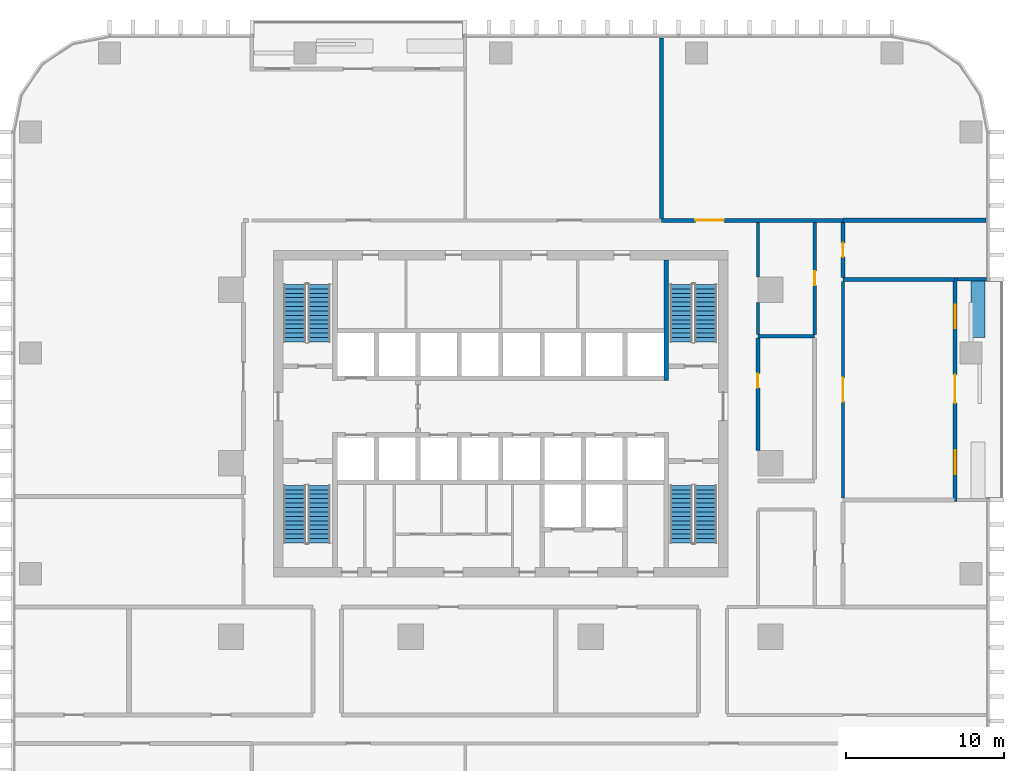
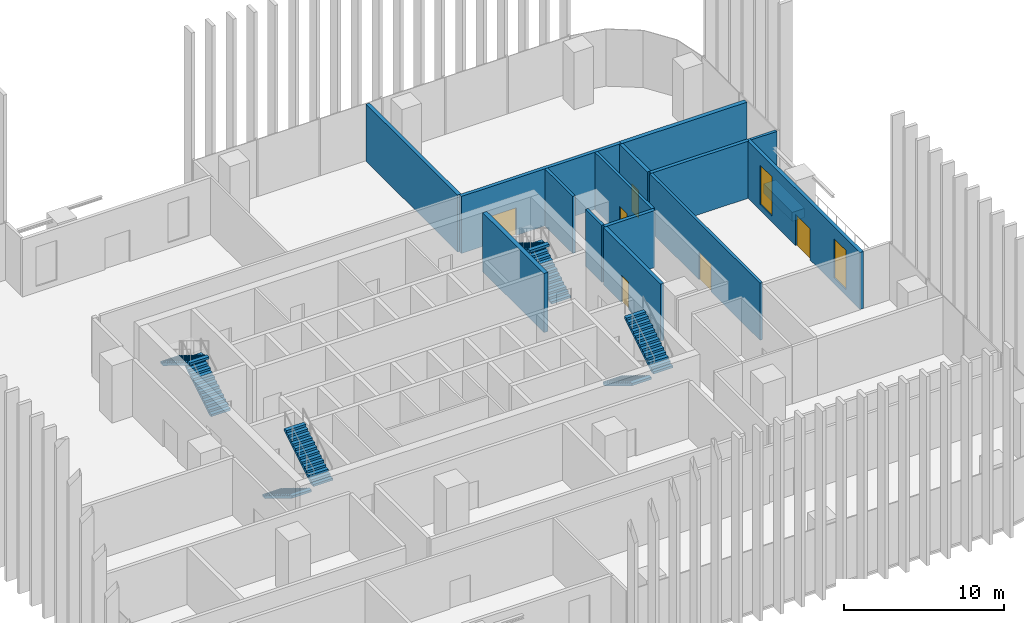
# One storey, part 10 of 16: 15 walls, 8 stair flights, 6 doors, 2 windows, 8 openings, 4 elements without a shape of their own.
"""IFC4 building model written with IfcOpenShell, lengths in metres."""

from ifc_helpers import new_model, si_unit, direction, frame, frame_2d, origin, place, context, subcontext, project, spatial, polyline, rectangle, outline, extrude, material, layer, layer_set, type_object, element, fill, aggregate, save


model = new_model("IFC4")

# Units and contexts
model_context = context("Model", 3, precision=1e-05, world=origin(), true_north=direction((0.0, 1.0)))
body_context = subcontext(model_context, "Body", "Model", "MODEL_VIEW")
ifc_project = project(units=[si_unit("LENGTHUNIT", "METRE"), si_unit("AREAUNIT", "SQUARE_METRE"), si_unit("VOLUMEUNIT", "CUBIC_METRE"), si_unit("PLANEANGLEUNIT", "RADIAN"), si_unit("MASSUNIT", "GRAM", prefix="KILO")], contexts=[model_context])

# Site, building, storey
site_placement = place(None, origin())
site = spatial("IfcSite", under=ifc_project, at=site_placement, CompositionType="ELEMENT")
building_placement = place(site_placement, origin())
building = spatial("IfcBuilding", under=site, at=building_placement, Name="Mopane Tessera Tower", CompositionType="ELEMENT")
storey_placement = place(building_placement, frame((0.0, 0.0, 59.800048828125)))
storey = spatial("IfcBuildingStorey", under=building, at=storey_placement, Name="L11", CompositionType="ELEMENT", Elevation=59.800048828125)

# Walls
ifc_material_1 = material(Name="Concrete C60/75", Category="concrete")
ifc_layer_1 = layer(ifc_material_1, 0.300048828125)
ifc_layer_set_1 = layer_set([ifc_layer_1], Name="Concrete C60/75")
wall_type_1 = type_object("IfcWallType", Name="Core spine wall 300 mm", PredefinedType="SHEAR", material=ifc_layer_set_1)
wall_1_placement = place(storey_placement, frame((10.5, 5.25, 0.0), z_axis=(0.0, 0.0, 1.0), x_axis=(0.0, 1.0, 0.0)))
element("IfcWall", 1, at=wall_1_placement, inside=storey, type_object=wall_type_1, Name="L11 Core spine wall", PredefinedType="SHEAR", context=body_context, shape_type="SweptSolid", body=[
    extrude(rectangle(XDim=7.64990234375, YDim=0.300048828125, at=frame_2d((3.824951171875, 0.0))), origin(), (0.0, 0.0, 1.0), 4.5),
])
ifc_material_2 = material(Name="Gypsum board on steel studs, two layers each face, mineral wool infill", Category="steel")
ifc_layer_2 = layer(ifc_material_2, 0.199951171875)
ifc_layer_set_2 = layer_set([ifc_layer_2], Name="Gypsum board on steel studs, two layers each face, mineral wool infill")
wall_type_2 = type_object("IfcWallType", Name="Gypsum board corridor wall 200, rated EI 60", PredefinedType="PARTITIONING", material=ifc_layer_set_2)
wall_2_placement = place(storey_placement, frame((16.300048828125, 8.179931640625, 0.0), z_axis=(0.0, 0.0, 1.0), x_axis=(0.0, 1.0, 0.0)))
element("IfcWall", 2, at=wall_2_placement, inside=storey, type_object=wall_type_2, Name="Partition L11:036", PredefinedType="PARTITIONING", context=body_context, shape_type="SweptSolid", body=[
    extrude(rectangle(XDim=2.02001953125, YDim=0.199951171875, at=frame_2d((1.010009765625, 0.0))), origin(), (0.0, 0.0, 1.0), 4.349853515625),
])
wall_3_placement = place(storey_placement, frame((16.300048828125, 11.800048828125, 0.0), z_axis=(0.0, 0.0, 1.0), x_axis=(0.0, 1.0, 0.0)))
element("IfcWall", 3, at=wall_3_placement, inside=storey, type_object=wall_type_2, Name="Partition L11:037", PredefinedType="PARTITIONING", context=body_context, shape_type="SweptSolid", body=[
    extrude(rectangle(XDim=3.474853515625, YDim=0.199951171875, at=frame_2d((1.7373046875, 0.0))), origin(), (0.0, 0.0, 1.0), 4.349853515625),
])

# Wall, opening, door
wall_4_placement = place(storey_placement, frame((19.89990234375, 8.179931640625, 0.0), z_axis=(0.0, 0.0, 1.0), x_axis=(0.0, 1.0, 0.0)))
wall_4 = element("IfcWall", 4, at=wall_4_placement, inside=storey, type_object=wall_type_2, Name="Partition L11:040", PredefinedType="PARTITIONING", context=body_context, shape_type="SweptSolid", body=[
    extrude(rectangle(XDim=7.094970703125, YDim=0.199951171875, at=frame_2d((3.54736328125, 0.0))), origin(), (0.0, 0.0, 1.0), 4.349853515625),
])
opening_1_placement = place(wall_4_placement, frame((3.097412109375, 0.0, 0.0)))
opening_1 = element("IfcOpeningElement", 5, at=opening_1_placement, cuts=wall_4, Name="Opening L11-15", PredefinedType="OPENING", context=body_context, shape_type="SweptSolid", body=[
    extrude(rectangle(XDim=0.89990234375, YDim=2.10009765625, at=frame_2d((0.449951171875, 1.050048828125))), frame((0.0, 0.112060546875, 0.0), z_axis=(0.0, -1.0, 0.0), x_axis=(1.0, 0.0, 0.0)), (0.0, 0.0, 1.0), 0.223876953125),
])
ifc_material_3 = material(Name="Timber veneered steel-framed fire door", Category="steel")
door_type_1 = type_object("IfcDoorType", Name="Fire door FD60 900 x 2100", OperationType="SINGLE_SWING_LEFT", PredefinedType="DOOR", material=ifc_material_3)
door_1_placement = place(opening_1_placement, origin())
door_1 = element("IfcDoor", 6, at=door_1_placement, inside=storey, type_object=door_type_1, Name="Door L11-15", ObjectType="D10A", OperationType="SINGLE_SWING_RIGHT", OverallHeight=2.10009765625, OverallWidth=0.89990234375, PredefinedType="DOOR", context=body_context, shape_type="SweptSolid", body=[
    extrude(rectangle(XDim=0.89990234375, YDim=2.10009765625, at=frame_2d((0.449951171875, 1.050048828125))), frame((0.0, 0.02490234375, 0.0), z_axis=(0.0, -1.0, 0.0), x_axis=(1.0, 0.0, 0.0)), (0.0, 0.0, 1.0), 0.050048828125),
])
fill(opening_1, door_1)

wall_5_placement = place(storey_placement, frame((21.699951171875, -2.2099609375, 0.0), z_axis=(0.0, 0.0, 1.0), x_axis=(0.0, 1.0, 0.0)))
wall_5 = element("IfcWall", 7, at=wall_5_placement, inside=storey, type_object=wall_type_2, Name="Partition L11:042", PredefinedType="PARTITIONING", context=body_context, shape_type="SweptSolid", body=[
    extrude(rectangle(XDim=13.75, YDim=0.199951171875, at=frame_2d((6.875, 0.0))), origin(), (0.0, 0.0, 1.0), 4.349853515625),
])
opening_2_placement = place(wall_5_placement, frame((6.125, 0.0, 0.0)))
opening_2 = element("IfcOpeningElement", 8, at=opening_2_placement, cuts=wall_5, Name="Opening L11-18", PredefinedType="OPENING", context=body_context, shape_type="SweptSolid", body=[
    extrude(rectangle(XDim=1.5, YDim=2.10009765625, at=frame_2d((0.75, 1.050048828125))), frame((0.0, 0.112060546875, 0.0), z_axis=(0.0, -1.0, 0.0), x_axis=(1.0, 0.0, 0.0)), (0.0, 0.0, 1.0), 0.223876953125),
])
ifc_material_4 = material(Name="Timber veneered steel-framed fire door", Category="steel")
door_type_2 = type_object("IfcDoorType", Name="Fire door pair FD60 1500 x 2100", OperationType="DOUBLE_DOOR_SINGLE_SWING", PredefinedType="DOOR", material=ifc_material_4)
door_2_placement = place(opening_2_placement, origin())
door_2 = element("IfcDoor", 9, at=door_2_placement, inside=storey, type_object=door_type_2, Name="Door L11-18", ObjectType="D17A", OperationType="DOUBLE_DOOR_SINGLE_SWING", OverallHeight=2.10009765625, OverallWidth=1.5, PredefinedType="DOOR", context=body_context, shape_type="SweptSolid", body=[
    extrude(rectangle(XDim=1.5, YDim=2.10009765625, at=frame_2d((0.75, 1.050048828125))), frame((0.0, 0.02490234375, 0.0), z_axis=(0.0, -1.0, 0.0), x_axis=(1.0, 0.0, 0.0)), (0.0, 0.0, 1.0), 0.050048828125),
])
fill(opening_2, door_2)

# Walls
ifc_material_5 = material(Name="Reinforced concrete C32/40 with waterproofing", Category="concrete")
ifc_layer_3 = layer(ifc_material_5, 0.89990234375)
ifc_layer_set_3 = layer_set([ifc_layer_3], Name="Reinforced concrete C32/40 with waterproofing")
wall_type_3 = type_object("IfcWallType", Name="Planter trough 3600 x 900", PredefinedType="STANDARD", material=ifc_layer_set_3)
wall_6_placement = place(storey_placement, frame((30.25, 7.966552734375, 0.0), z_axis=(0.0, 0.0, 1.0), x_axis=(0.0, 1.0, 0.0)))
element("IfcWall", 10, at=wall_6_placement, inside=storey, type_object=wall_type_3, Name="e:nw:L11:N1:pl1", PredefinedType="STANDARD", context=body_context, shape_type="SweptSolid", body=[
    extrude(rectangle(XDim=3.60009765625, YDim=0.89990234375, at=frame_2d((1.800048828125, 0.0))), origin(), (0.0, 0.0, 1.0), 0.699951171875),
])
ifc_material_6 = material(Name="Plastered concrete blockwork C20/25", Category="masonry")
ifc_layer_4 = layer(ifc_material_6, 0.300048828125)
ifc_layer_set_4 = layer_set([ifc_layer_4], Name="Plastered concrete blockwork C20/25")
wall_type_4 = type_object("IfcWallType", Name="Plastered blockwork separation wall 300, rated EI 120", PredefinedType="PARTITIONING", material=ifc_layer_set_4)
wall_7_placement = place(storey_placement, frame((21.699951171875, 15.39990234375, 0.0), z_axis=(0.0, 0.0, 1.0), x_axis=(1.0, 0.0, 0.0)))
element("IfcWall", 11, at=wall_7_placement, inside=storey, type_object=wall_type_4, Name="Partition L11:020", PredefinedType="PARTITIONING", context=body_context, shape_type="SweptSolid", body=[
    extrude(rectangle(XDim=9.050048828125, YDim=0.300048828125, at=frame_2d((4.52490234375, 0.0))), origin(), (0.0, 0.0, 1.0), 4.349853515625),
])
ifc_material_7 = material(Name="Plastered concrete blockwork C20/25", Category="masonry")
ifc_layer_5 = layer(ifc_material_7, 0.25)
ifc_layer_set_5 = layer_set([ifc_layer_5], Name="Plastered concrete blockwork C20/25")
wall_type_5 = type_object("IfcWallType", Name="Plastered blockwork wall 250, rated EI 120", PredefinedType="PARTITIONING", material=ifc_layer_set_5)
wall_8_placement = place(storey_placement, frame((16.300048828125, 8.054931640625, 0.0), z_axis=(0.0, 0.0, 1.0), x_axis=(1.0, 0.0, 0.0)))
element("IfcWall", 12, at=wall_8_placement, inside=storey, type_object=wall_type_5, Name="Partition L11:015", PredefinedType="PARTITIONING", context=body_context, shape_type="SweptSolid", body=[
    extrude(rectangle(XDim=3.599853515625, YDim=0.25, at=frame_2d((1.7998046875, 0.0))), origin(), (0.0, 0.0, 1.0), 4.349853515625),
])
wall_9_placement = place(storey_placement, frame((21.699951171875, 11.6650390625, 0.0), z_axis=(0.0, 0.0, 1.0), x_axis=(1.0, 0.0, 0.0)))
element("IfcWall", 13, at=wall_9_placement, inside=storey, type_object=wall_type_5, Name="Partition L11:016", PredefinedType="PARTITIONING", context=body_context, shape_type="SweptSolid", body=[
    extrude(rectangle(XDim=7.050048828125, YDim=0.25, at=frame_2d((3.52490234375, 0.0))), origin(), (0.0, 0.0, 1.0), 4.349853515625),
])

# Wall, opening, door
wall_10_placement = place(storey_placement, frame((10.18505859375, 15.39990234375, 0.0), z_axis=(0.0, 0.0, 1.0), x_axis=(1.0, 0.0, 0.0)))
wall_10 = element("IfcWall", 14, at=wall_10_placement, inside=storey, type_object=wall_type_5, Name="Partition L11:019", PredefinedType="PARTITIONING", context=body_context, shape_type="SweptSolid", body=[
    extrude(rectangle(XDim=11.514892578125, YDim=0.25, at=frame_2d((5.75732421875, 0.0))), origin(), (0.0, 0.0, 1.0), 4.349853515625),
])
opening_3_placement = place(wall_10_placement, frame((2.157470703125, 0.0, 0.0)))
opening_3 = element("IfcOpeningElement", 15, at=opening_3_placement, cuts=wall_10, Name="Opening L11-03", PredefinedType="OPENING", context=body_context, shape_type="SweptSolid", body=[
    extrude(rectangle(XDim=1.800048828125, YDim=2.10009765625, at=frame_2d((0.89990234375, 1.050048828125))), frame((0.0, 0.136962890625, 0.0), z_axis=(0.0, -1.0, 0.0), x_axis=(1.0, 0.0, 0.0)), (0.0, 0.0, 1.0), 0.27392578125),
])
ifc_material_8 = material(Name="Timber veneered steel-framed fire door", Category="steel")
door_type_3 = type_object("IfcDoorType", Name="Fire door pair FD120 1800 x 2100", OperationType="DOUBLE_DOOR_SINGLE_SWING", PredefinedType="DOOR", material=ifc_material_8)
door_3_placement = place(opening_3_placement, origin())
door_3 = element("IfcDoor", 16, at=door_3_placement, inside=storey, type_object=door_type_3, Name="Door L11-03", ObjectType="D20B", OperationType="DOUBLE_DOOR_SINGLE_SWING", OverallHeight=2.10009765625, OverallWidth=1.800048828125, PredefinedType="DOOR", context=body_context, shape_type="SweptSolid", body=[
    extrude(rectangle(XDim=1.800048828125, YDim=2.10009765625, at=frame_2d((0.89990234375, 1.050048828125))), frame((0.0, 0.02490234375, 0.0), z_axis=(0.0, -1.0, 0.0), x_axis=(1.0, 0.0, 0.0)), (0.0, 0.0, 1.0), 0.050048828125),
])
fill(opening_3, door_3)

# Wall
wall_11_placement = place(storey_placement, frame((10.18505859375, 15.52490234375, 0.0), z_axis=(0.0, 0.0, 1.0), x_axis=(0.0, 1.0, 0.0)))
element("IfcWall", 17, at=wall_11_placement, inside=storey, type_object=wall_type_5, Name="Partition L11:032", PredefinedType="PARTITIONING", context=body_context, shape_type="SweptSolid", body=[
    extrude(rectangle(XDim=11.425048828125, YDim=0.25, at=frame_2d((5.71240234375, 0.0))), origin(), (0.0, 0.0, 1.0), 4.349853515625),
])

# Wall, opening, door
wall_12_placement = place(storey_placement, frame((16.300048828125, 0.800048828125, 0.0), z_axis=(0.0, 0.0, 1.0), x_axis=(0.0, 1.0, 0.0)))
wall_12 = element("IfcWall", 18, at=wall_12_placement, inside=storey, type_object=wall_type_5, Name="Partition L11:038", PredefinedType="PARTITIONING", context=body_context, shape_type="SweptSolid", body=[
    extrude(rectangle(XDim=7.1298828125, YDim=0.25, at=frame_2d((3.56494140625, 0.0))), origin(), (0.0, 0.0, 1.0), 4.349853515625),
])
opening_4_placement = place(wall_12_placement, frame((3.987548828125, 0.0, 0.0)))
opening_4 = element("IfcOpeningElement", 19, at=opening_4_placement, cuts=wall_12, Name="Opening L11-12", PredefinedType="OPENING", context=body_context, shape_type="SweptSolid", body=[
    extrude(rectangle(XDim=0.89990234375, YDim=2.10009765625, at=frame_2d((0.449951171875, 1.050048828125))), frame((0.0, 0.136962890625, 0.0), z_axis=(0.0, -1.0, 0.0), x_axis=(1.0, 0.0, 0.0)), (0.0, 0.0, 1.0), 0.27392578125),
])
ifc_material_9 = material(Name="Timber veneered steel-framed fire door", Category="steel")
door_type_4 = type_object("IfcDoorType", Name="Fire door FD120 900 x 2100", OperationType="SINGLE_SWING_LEFT", PredefinedType="DOOR", material=ifc_material_9)
door_4_placement = place(opening_4_placement, origin())
door_4 = element("IfcDoor", 20, at=door_4_placement, inside=storey, type_object=door_type_4, Name="Door L11-12", ObjectType="D10B", OperationType="SINGLE_SWING_LEFT", OverallHeight=2.10009765625, OverallWidth=0.89990234375, PredefinedType="DOOR", context=body_context, shape_type="SweptSolid", body=[
    extrude(rectangle(XDim=0.89990234375, YDim=2.10009765625, at=frame_2d((0.449951171875, 1.050048828125))), frame((0.0, 0.02490234375, 0.0), z_axis=(0.0, -1.0, 0.0), x_axis=(1.0, 0.0, 0.0)), (0.0, 0.0, 1.0), 0.050048828125),
])
fill(opening_4, door_4)

wall_13_placement = place(storey_placement, frame((21.699951171875, 11.7900390625, 0.0), z_axis=(0.0, 0.0, 1.0), x_axis=(0.0, 1.0, 0.0)))
wall_13 = element("IfcWall", 21, at=wall_13_placement, inside=storey, type_object=wall_type_5, Name="Partition L11:044", PredefinedType="PARTITIONING", context=body_context, shape_type="SweptSolid", body=[
    extrude(rectangle(XDim=3.4599609375, YDim=0.25, at=frame_2d((1.72998046875, 0.0))), origin(), (0.0, 0.0, 1.0), 4.349853515625),
])
opening_5_placement = place(wall_13_placement, frame((1.280029296875, 0.0, 0.0)))
opening_5 = element("IfcOpeningElement", 22, at=opening_5_placement, cuts=wall_13, Name="Opening L11-06", PredefinedType="OPENING", context=body_context, shape_type="SweptSolid", body=[
    extrude(rectangle(XDim=0.89990234375, YDim=2.10009765625, at=frame_2d((0.449951171875, 1.050048828125))), frame((0.0, 0.136962890625, 0.0), z_axis=(0.0, -1.0, 0.0), x_axis=(1.0, 0.0, 0.0)), (0.0, 0.0, 1.0), 0.27392578125),
])
door_5_placement = place(opening_5_placement, origin())
door_5 = element("IfcDoor", 23, at=door_5_placement, inside=storey, type_object=door_type_4, Name="Door L11-06", ObjectType="D10B", OperationType="SINGLE_SWING_LEFT", OverallHeight=2.10009765625, OverallWidth=0.89990234375, PredefinedType="DOOR", context=body_context, shape_type="SweptSolid", body=[
    extrude(rectangle(XDim=0.89990234375, YDim=2.10009765625, at=frame_2d((0.449951171875, 1.050048828125))), frame((0.0, 0.02490234375, 0.0), z_axis=(0.0, -1.0, 0.0), x_axis=(1.0, 0.0, 0.0)), (0.0, 0.0, 1.0), 0.050048828125),
])
fill(opening_5, door_5)

# Wall
ifc_material_10 = material(Name="Blockwork with glazed tile facing", Category="masonry")
ifc_layer_6 = layer(ifc_material_10, 0.199951171875)
ifc_layer_set_6 = layer_set([ifc_layer_6], Name="Blockwork with glazed tile facing")
wall_type_6 = type_object("IfcWallType", Name="Terrace cheek wall 200", PredefinedType="STANDARD", material=ifc_layer_set_6)
wall_14_placement = place(storey_placement, frame((30.800048828125, 11.666748046875, 0.0), z_axis=(0.0, 0.0, 1.0), x_axis=(-1.0, 0.0, 0.0)))
element("IfcWall", 24, at=wall_14_placement, inside=storey, type_object=wall_type_6, Name="e:nw:L11:N1:cheekb", PredefinedType="STANDARD", context=body_context, shape_type="SweptSolid", body=[
    extrude(rectangle(XDim=1.875, YDim=0.199951171875, at=frame_2d((0.9375, 0.0))), origin(), (0.0, 0.0, 1.0), 4.349853515625),
])

# Wall, openings, windows, door
ifc_material_11 = material(Name="Blockwork with ochre glazed tile facing", Category="masonry")
ifc_layer_7 = layer(ifc_material_11, 0.25)
ifc_layer_set_7 = layer_set([ifc_layer_7], Name="Blockwork with ochre glazed tile facing")
wall_type_7 = type_object("IfcWallType", Name="Tile-clad external wall 250, ochre", PredefinedType="STANDARD", material=ifc_layer_set_7)
wall_15_placement = place(storey_placement, frame((28.800048828125, -2.433349609375, 0.0), z_axis=(0.0, 0.0, 1.0), x_axis=(0.0, 1.0, 0.0)))
wall_15 = element("IfcWall", 25, at=wall_15_placement, inside=storey, type_object=wall_type_7, Name="e:nw:L11:N1:back", PredefinedType="STANDARD", context=body_context, shape_type="SweptSolid", body=[
    extrude(rectangle(XDim=14.199951171875, YDim=0.25, at=frame_2d((7.10009765625, 0.0))), origin(), (0.0, 0.0, 1.0), 4.349853515625),
])
opening_6_placement = place(wall_15_placement, frame((1.75, 0.0, 0.449951171875)))
opening_6 = element("IfcOpeningElement", 26, at=opening_6_placement, cuts=wall_15, Name="Opening NW111A", PredefinedType="OPENING", context=body_context, shape_type="SweptSolid", body=[
    extrude(rectangle(XDim=1.5, YDim=3.0, at=frame_2d((0.75, 1.5))), frame((0.0, 0.136962890625, 0.0), z_axis=(0.0, -1.0, 0.0), x_axis=(1.0, 0.0, 0.0)), (0.0, 0.0, 1.0), 0.27392578125),
])
opening_7_placement = place(wall_15_placement, frame((6.25, 0.0, 0.0)))
opening_7 = element("IfcOpeningElement", 27, at=opening_7_placement, cuts=wall_15, Name="Opening ND111", PredefinedType="OPENING", context=body_context, shape_type="SweptSolid", body=[
    extrude(rectangle(XDim=1.800048828125, YDim=2.39990234375, at=frame_2d((0.89990234375, 1.199951171875))), frame((0.0, 0.136962890625, 0.0), z_axis=(0.0, -1.0, 0.0), x_axis=(1.0, 0.0, 0.0)), (0.0, 0.0, 1.0), 0.27392578125),
])
opening_8_placement = place(wall_15_placement, frame((11.0, 0.0, 0.449951171875)))
opening_8 = element("IfcOpeningElement", 28, at=opening_8_placement, cuts=wall_15, Name="Opening NW111B", PredefinedType="OPENING", context=body_context, shape_type="SweptSolid", body=[
    extrude(rectangle(XDim=1.5, YDim=3.0, at=frame_2d((0.75, 1.5))), frame((0.0, 0.136962890625, 0.0), z_axis=(0.0, -1.0, 0.0), x_axis=(1.0, 0.0, 0.0)), (0.0, 0.0, 1.0), 0.27392578125),
])
ifc_material_12 = material(Name="Clear laminated glass", Category="glass")
window_type = type_object("IfcWindowType", Name="Fixed window 1500 x 3000", PartitioningType="SINGLE_PANEL", PredefinedType="WINDOW", material=ifc_material_12)
window_1_placement = place(opening_6_placement, origin())
window_1 = element("IfcWindow", 29, at=window_1_placement, inside=storey, type_object=window_type, Name="e:nw:L11:N1:win0", OverallHeight=3.0, OverallWidth=1.5, PartitioningType="SINGLE_PANEL", PredefinedType="WINDOW", context=body_context, shape_type="SweptSolid", body=[
    extrude(rectangle(XDim=1.5, YDim=3.0, at=frame_2d((0.75, 1.5))), frame((0.0, 0.030029296875, 0.0), z_axis=(0.0, -1.0, 0.0), x_axis=(1.0, 0.0, 0.0)), (0.0, 0.0, 1.0), 0.06005859375),
])
fill(opening_6, window_1)
window_2_placement = place(opening_8_placement, origin())
window_2 = element("IfcWindow", 30, at=window_2_placement, inside=storey, type_object=window_type, Name="e:nw:L11:N1:win2", OverallHeight=3.0, OverallWidth=1.5, PartitioningType="SINGLE_PANEL", PredefinedType="WINDOW", context=body_context, shape_type="SweptSolid", body=[
    extrude(rectangle(XDim=1.5, YDim=3.0, at=frame_2d((0.75, 1.5))), frame((0.0, 0.030029296875, 0.0), z_axis=(0.0, -1.0, 0.0), x_axis=(1.0, 0.0, 0.0)), (0.0, 0.0, 1.0), 0.06005859375),
])
fill(opening_8, window_2)
ifc_material_13 = material(Name="Aluminium and clear glass", Category="aluminium")
door_type_5 = type_object("IfcDoorType", Name="Terrace double door 1800 x 2400", OperationType="DOUBLE_DOOR_SINGLE_SWING", PredefinedType="DOOR", material=ifc_material_13)
door_6_placement = place(opening_7_placement, origin())
door_6 = element("IfcDoor", 31, at=door_6_placement, inside=storey, type_object=door_type_5, Name="e:nw:L11:N1:door", ObjectType="D1", OperationType="DOUBLE_DOOR_SINGLE_SWING", OverallHeight=2.39990234375, OverallWidth=1.800048828125, PredefinedType="DOOR", context=body_context, shape_type="SweptSolid", body=[
    extrude(rectangle(XDim=1.800048828125, YDim=2.39990234375, at=frame_2d((0.89990234375, 1.199951171875))), frame((0.0, 0.02490234375, 0.0), z_axis=(0.0, -1.0, 0.0), x_axis=(1.0, 0.0, 0.0)), (0.0, 0.0, 1.0), 0.050048828125),
])
fill(opening_7, door_6)

# Stair, stair flights
ifc_material_14 = material(Name="Concrete C50/60", Category="concrete")
stair_type = type_object("IfcStairType", Name="Escape stair 1400 mm, riser 171 mm", PredefinedType="HALF_TURN_STAIR", material=ifc_material_14)
stair_1_placement = place(storey_placement, origin())
stair_1 = element("IfcStair", 32, at=stair_1_placement, inside=storey, type_object=stair_type, Name="L11 Escape stair south-west", PredefinedType="HALF_TURN_STAIR")
ifc_material_15 = material(Name="Concrete C50/60", Category="concrete")
stair_flight_type = type_object("IfcStairFlightType", Name="Escape stair flight 1400 mm", PredefinedType="STRAIGHT", material=ifc_material_15)
stair_flight_1_placement = place(storey_placement, frame((-13.050048828125, -1.39990234375, 0.0), z_axis=(0.0, 0.0, 1.0), x_axis=(0.0, -1.0, 0.0)))
stair_flight_1 = element("IfcStairFlight", 33, at=stair_flight_1_placement, type_object=stair_flight_type, Name="ST1 flight 1", NumberOfRisers=14, NumberOfTreads=13, PredefinedType="STRAIGHT", RiserHeight=0.171428571, TreadLength=0.28, context=body_context, shape_type="SweptSolid", body=[
    extrude(outline(polyline([(0.0, 0.0), (0.0, 0.17138671875), (0.280029296875, 0.17138671875), (0.280029296875, 0.3427734375), (0.56005859375, 0.3427734375), (0.56005859375, 0.514404296875), (0.840087890625, 0.514404296875), (0.840087890625, 0.685791015625), (1.1201171875, 0.685791015625), (1.1201171875, 0.857177734375), (1.39990234375, 0.857177734375), (1.39990234375, 1.028564453125), (1.679931640625, 1.028564453125), (1.679931640625, 1.199951171875), (1.9599609375, 1.199951171875), (1.9599609375, 1.371337890625), (2.239990234375, 1.371337890625), (2.239990234375, 1.54296875), (2.52001953125, 1.54296875), (2.52001953125, 1.71435546875), (2.800048828125, 1.71435546875), (2.800048828125, 1.8857421875), (3.080078125, 1.8857421875), (3.080078125, 2.05712890625), (3.360107421875, 2.05712890625), (3.360107421875, 2.228515625), (3.639892578125, 2.228515625), (3.639892578125, 2.39990234375), (3.639892578125, 2.052734375), (0.287109375, 0.0), (0.0, 0.0)])), frame((0.0, 0.699951171875, 0.0), z_axis=(0.0, -1.0, 0.0), x_axis=(1.0, 0.0, 0.0)), (0.0, 0.0, 1.0), 1.39990234375),
])
stair_flight_2_placement = place(storey_placement, frame((-11.5, -5.0400390625, 2.39990234375), z_axis=(0.0, 0.0, 1.0), x_axis=(0.0, 1.0, 0.0)))
stair_flight_2 = element("IfcStairFlight", 34, at=stair_flight_2_placement, type_object=stair_flight_type, Name="ST1 flight 2", NumberOfRisers=14, NumberOfTreads=13, PredefinedType="STRAIGHT", RiserHeight=0.171428571, TreadLength=0.28, context=body_context, shape_type="SweptSolid", body=[
    extrude(outline(polyline([(0.0, 0.0), (0.0, 0.17138671875), (0.280029296875, 0.17138671875), (0.280029296875, 0.3427734375), (0.56005859375, 0.3427734375), (0.56005859375, 0.514404296875), (0.840087890625, 0.514404296875), (0.840087890625, 0.685791015625), (1.1201171875, 0.685791015625), (1.1201171875, 0.857177734375), (1.39990234375, 0.857177734375), (1.39990234375, 1.028564453125), (1.679931640625, 1.028564453125), (1.679931640625, 1.199951171875), (1.9599609375, 1.199951171875), (1.9599609375, 1.371337890625), (2.239990234375, 1.371337890625), (2.239990234375, 1.54296875), (2.52001953125, 1.54296875), (2.52001953125, 1.71435546875), (2.800048828125, 1.71435546875), (2.800048828125, 1.8857421875), (3.080078125, 1.8857421875), (3.080078125, 2.05712890625), (3.360107421875, 2.05712890625), (3.360107421875, 2.228515625), (3.639892578125, 2.228515625), (3.639892578125, 2.39990234375), (3.639892578125, 2.052734375), (0.287109375, 0.0), (0.0, 0.0)])), frame((0.0, 0.699951171875, 0.0), z_axis=(0.0, -1.0, 0.0), x_axis=(1.0, 0.0, 0.0)), (0.0, 0.0, 1.0), 1.39990234375),
])
aggregate(stair_1, [stair_flight_1, stair_flight_2])

stair_2_placement = place(storey_placement, origin())
stair_2 = element("IfcStair", 35, at=stair_2_placement, inside=storey, type_object=stair_type, Name="L11 Escape stair north-west", PredefinedType="HALF_TURN_STAIR")
stair_flight_3_placement = place(storey_placement, frame((-11.5, 7.699951171875, 0.0), z_axis=(0.0, 0.0, 1.0), x_axis=(0.0, 1.0, 0.0)))
stair_flight_3 = element("IfcStairFlight", 36, at=stair_flight_3_placement, type_object=stair_flight_type, Name="ST2 flight 1", NumberOfRisers=14, NumberOfTreads=13, PredefinedType="STRAIGHT", RiserHeight=0.171428571, TreadLength=0.28, context=body_context, shape_type="SweptSolid", body=[
    extrude(outline(polyline([(0.0, 0.0), (0.0, 0.17138671875), (0.280029296875, 0.17138671875), (0.280029296875, 0.3427734375), (0.56005859375, 0.3427734375), (0.56005859375, 0.514404296875), (0.840087890625, 0.514404296875), (0.840087890625, 0.685791015625), (1.1201171875, 0.685791015625), (1.1201171875, 0.857177734375), (1.39990234375, 0.857177734375), (1.39990234375, 1.028564453125), (1.679931640625, 1.028564453125), (1.679931640625, 1.199951171875), (1.9599609375, 1.199951171875), (1.9599609375, 1.371337890625), (2.239990234375, 1.371337890625), (2.239990234375, 1.54296875), (2.52001953125, 1.54296875), (2.52001953125, 1.71435546875), (2.800048828125, 1.71435546875), (2.800048828125, 1.8857421875), (3.080078125, 1.8857421875), (3.080078125, 2.05712890625), (3.360107421875, 2.05712890625), (3.360107421875, 2.228515625), (3.639892578125, 2.228515625), (3.639892578125, 2.39990234375), (3.639892578125, 2.052734375), (0.287109375, 0.0), (0.0, 0.0)])), frame((0.0, 0.699951171875, 0.0), z_axis=(0.0, -1.0, 0.0), x_axis=(1.0, 0.0, 0.0)), (0.0, 0.0, 1.0), 1.39990234375),
])
stair_flight_4_placement = place(storey_placement, frame((-13.050048828125, 11.340087890625, 2.39990234375), z_axis=(0.0, 0.0, 1.0), x_axis=(0.0, -1.0, 0.0)))
stair_flight_4 = element("IfcStairFlight", 37, at=stair_flight_4_placement, type_object=stair_flight_type, Name="ST2 flight 2", NumberOfRisers=14, NumberOfTreads=13, PredefinedType="STRAIGHT", RiserHeight=0.171428571, TreadLength=0.28, context=body_context, shape_type="SweptSolid", body=[
    extrude(outline(polyline([(0.0, 0.0), (0.0, 0.17138671875), (0.280029296875, 0.17138671875), (0.280029296875, 0.3427734375), (0.56005859375, 0.3427734375), (0.56005859375, 0.514404296875), (0.840087890625, 0.514404296875), (0.840087890625, 0.685791015625), (1.1201171875, 0.685791015625), (1.1201171875, 0.857177734375), (1.39990234375, 0.857177734375), (1.39990234375, 1.028564453125), (1.679931640625, 1.028564453125), (1.679931640625, 1.199951171875), (1.9599609375, 1.199951171875), (1.9599609375, 1.371337890625), (2.239990234375, 1.371337890625), (2.239990234375, 1.54296875), (2.52001953125, 1.54296875), (2.52001953125, 1.71435546875), (2.800048828125, 1.71435546875), (2.800048828125, 1.8857421875), (3.080078125, 1.8857421875), (3.080078125, 2.05712890625), (3.360107421875, 2.05712890625), (3.360107421875, 2.228515625), (3.639892578125, 2.228515625), (3.639892578125, 2.39990234375), (3.639892578125, 2.052734375), (0.287109375, 0.0), (0.0, 0.0)])), frame((0.0, 0.699951171875, 0.0), z_axis=(0.0, -1.0, 0.0), x_axis=(1.0, 0.0, 0.0)), (0.0, 0.0, 1.0), 1.39990234375),
])
aggregate(stair_2, [stair_flight_3, stair_flight_4])

stair_3_placement = place(storey_placement, origin())
stair_3 = element("IfcStair", 38, at=stair_3_placement, inside=storey, type_object=stair_type, Name="L11 Escape stair south-east", PredefinedType="HALF_TURN_STAIR")
stair_flight_5_placement = place(storey_placement, frame((11.449951171875, -1.39990234375, 0.0), z_axis=(0.0, 0.0, 1.0), x_axis=(0.0, -1.0, 0.0)))
stair_flight_5 = element("IfcStairFlight", 39, at=stair_flight_5_placement, type_object=stair_flight_type, Name="ST3 flight 1", NumberOfRisers=14, NumberOfTreads=13, PredefinedType="STRAIGHT", RiserHeight=0.171428571, TreadLength=0.28, context=body_context, shape_type="SweptSolid", body=[
    extrude(outline(polyline([(0.0, 0.0), (0.0, 0.17138671875), (0.280029296875, 0.17138671875), (0.280029296875, 0.3427734375), (0.56005859375, 0.3427734375), (0.56005859375, 0.514404296875), (0.840087890625, 0.514404296875), (0.840087890625, 0.685791015625), (1.1201171875, 0.685791015625), (1.1201171875, 0.857177734375), (1.39990234375, 0.857177734375), (1.39990234375, 1.028564453125), (1.679931640625, 1.028564453125), (1.679931640625, 1.199951171875), (1.9599609375, 1.199951171875), (1.9599609375, 1.371337890625), (2.239990234375, 1.371337890625), (2.239990234375, 1.54296875), (2.52001953125, 1.54296875), (2.52001953125, 1.71435546875), (2.800048828125, 1.71435546875), (2.800048828125, 1.8857421875), (3.080078125, 1.8857421875), (3.080078125, 2.05712890625), (3.360107421875, 2.05712890625), (3.360107421875, 2.228515625), (3.639892578125, 2.228515625), (3.639892578125, 2.39990234375), (3.639892578125, 2.052734375), (0.287109375, 0.0), (0.0, 0.0)])), frame((0.0, 0.699951171875, 0.0), z_axis=(0.0, -1.0, 0.0), x_axis=(1.0, 0.0, 0.0)), (0.0, 0.0, 1.0), 1.39990234375),
])
stair_flight_6_placement = place(storey_placement, frame((13.0, -5.0400390625, 2.39990234375), z_axis=(0.0, 0.0, 1.0), x_axis=(0.0, 1.0, 0.0)))
stair_flight_6 = element("IfcStairFlight", 40, at=stair_flight_6_placement, type_object=stair_flight_type, Name="ST3 flight 2", NumberOfRisers=14, NumberOfTreads=13, PredefinedType="STRAIGHT", RiserHeight=0.171428571, TreadLength=0.28, context=body_context, shape_type="SweptSolid", body=[
    extrude(outline(polyline([(0.0, 0.0), (0.0, 0.17138671875), (0.280029296875, 0.17138671875), (0.280029296875, 0.3427734375), (0.56005859375, 0.3427734375), (0.56005859375, 0.514404296875), (0.840087890625, 0.514404296875), (0.840087890625, 0.685791015625), (1.1201171875, 0.685791015625), (1.1201171875, 0.857177734375), (1.39990234375, 0.857177734375), (1.39990234375, 1.028564453125), (1.679931640625, 1.028564453125), (1.679931640625, 1.199951171875), (1.9599609375, 1.199951171875), (1.9599609375, 1.371337890625), (2.239990234375, 1.371337890625), (2.239990234375, 1.54296875), (2.52001953125, 1.54296875), (2.52001953125, 1.71435546875), (2.800048828125, 1.71435546875), (2.800048828125, 1.8857421875), (3.080078125, 1.8857421875), (3.080078125, 2.05712890625), (3.360107421875, 2.05712890625), (3.360107421875, 2.228515625), (3.639892578125, 2.228515625), (3.639892578125, 2.39990234375), (3.639892578125, 2.052734375), (0.287109375, 0.0), (0.0, 0.0)])), frame((0.0, 0.699951171875, 0.0), z_axis=(0.0, -1.0, 0.0), x_axis=(1.0, 0.0, 0.0)), (0.0, 0.0, 1.0), 1.39990234375),
])
aggregate(stair_3, [stair_flight_5, stair_flight_6])

stair_4_placement = place(storey_placement, origin())
stair_4 = element("IfcStair", 41, at=stair_4_placement, inside=storey, type_object=stair_type, Name="L11 Escape stair north-east", PredefinedType="HALF_TURN_STAIR")
stair_flight_7_placement = place(storey_placement, frame((13.0, 7.699951171875, 0.0), z_axis=(0.0, 0.0, 1.0), x_axis=(0.0, 1.0, 0.0)))
stair_flight_7 = element("IfcStairFlight", 42, at=stair_flight_7_placement, type_object=stair_flight_type, Name="ST4 flight 1", NumberOfRisers=14, NumberOfTreads=13, PredefinedType="STRAIGHT", RiserHeight=0.171428571, TreadLength=0.28, context=body_context, shape_type="SweptSolid", body=[
    extrude(outline(polyline([(0.0, 0.0), (0.0, 0.17138671875), (0.280029296875, 0.17138671875), (0.280029296875, 0.3427734375), (0.56005859375, 0.3427734375), (0.56005859375, 0.514404296875), (0.840087890625, 0.514404296875), (0.840087890625, 0.685791015625), (1.1201171875, 0.685791015625), (1.1201171875, 0.857177734375), (1.39990234375, 0.857177734375), (1.39990234375, 1.028564453125), (1.679931640625, 1.028564453125), (1.679931640625, 1.199951171875), (1.9599609375, 1.199951171875), (1.9599609375, 1.371337890625), (2.239990234375, 1.371337890625), (2.239990234375, 1.54296875), (2.52001953125, 1.54296875), (2.52001953125, 1.71435546875), (2.800048828125, 1.71435546875), (2.800048828125, 1.8857421875), (3.080078125, 1.8857421875), (3.080078125, 2.05712890625), (3.360107421875, 2.05712890625), (3.360107421875, 2.228515625), (3.639892578125, 2.228515625), (3.639892578125, 2.39990234375), (3.639892578125, 2.052734375), (0.287109375, 0.0), (0.0, 0.0)])), frame((0.0, 0.699951171875, 0.0), z_axis=(0.0, -1.0, 0.0), x_axis=(1.0, 0.0, 0.0)), (0.0, 0.0, 1.0), 1.39990234375),
])
stair_flight_8_placement = place(storey_placement, frame((11.449951171875, 11.340087890625, 2.39990234375), z_axis=(0.0, 0.0, 1.0), x_axis=(0.0, -1.0, 0.0)))
stair_flight_8 = element("IfcStairFlight", 43, at=stair_flight_8_placement, type_object=stair_flight_type, Name="ST4 flight 2", NumberOfRisers=14, NumberOfTreads=13, PredefinedType="STRAIGHT", RiserHeight=0.171428571, TreadLength=0.28, context=body_context, shape_type="SweptSolid", body=[
    extrude(outline(polyline([(0.0, 0.0), (0.0, 0.17138671875), (0.280029296875, 0.17138671875), (0.280029296875, 0.3427734375), (0.56005859375, 0.3427734375), (0.56005859375, 0.514404296875), (0.840087890625, 0.514404296875), (0.840087890625, 0.685791015625), (1.1201171875, 0.685791015625), (1.1201171875, 0.857177734375), (1.39990234375, 0.857177734375), (1.39990234375, 1.028564453125), (1.679931640625, 1.028564453125), (1.679931640625, 1.199951171875), (1.9599609375, 1.199951171875), (1.9599609375, 1.371337890625), (2.239990234375, 1.371337890625), (2.239990234375, 1.54296875), (2.52001953125, 1.54296875), (2.52001953125, 1.71435546875), (2.800048828125, 1.71435546875), (2.800048828125, 1.8857421875), (3.080078125, 1.8857421875), (3.080078125, 2.05712890625), (3.360107421875, 2.05712890625), (3.360107421875, 2.228515625), (3.639892578125, 2.228515625), (3.639892578125, 2.39990234375), (3.639892578125, 2.052734375), (0.287109375, 0.0), (0.0, 0.0)])), frame((0.0, 0.699951171875, 0.0), z_axis=(0.0, -1.0, 0.0), x_axis=(1.0, 0.0, 0.0)), (0.0, 0.0, 1.0), 1.39990234375),
])
aggregate(stair_4, [stair_flight_7, stair_flight_8])

save(model, "model.ifc")
